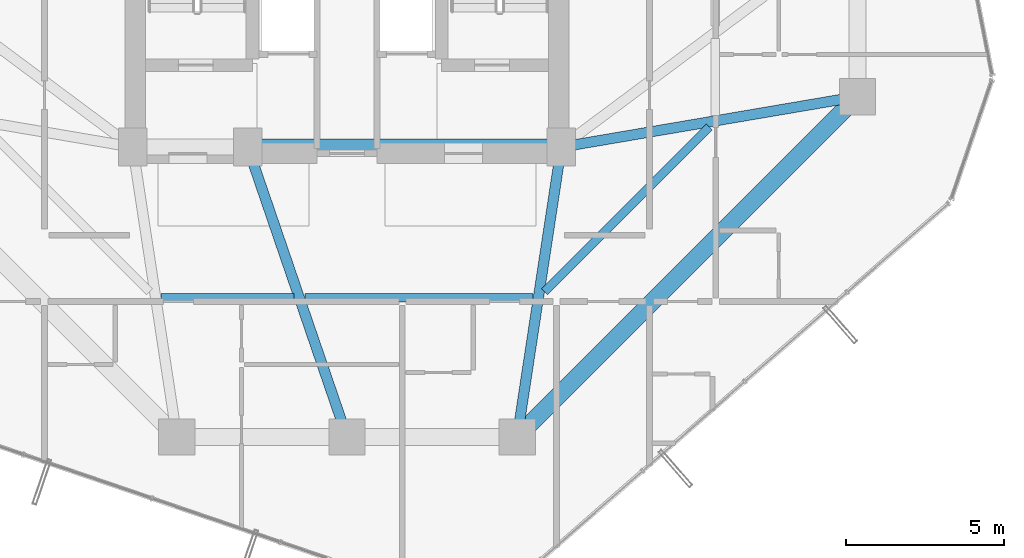
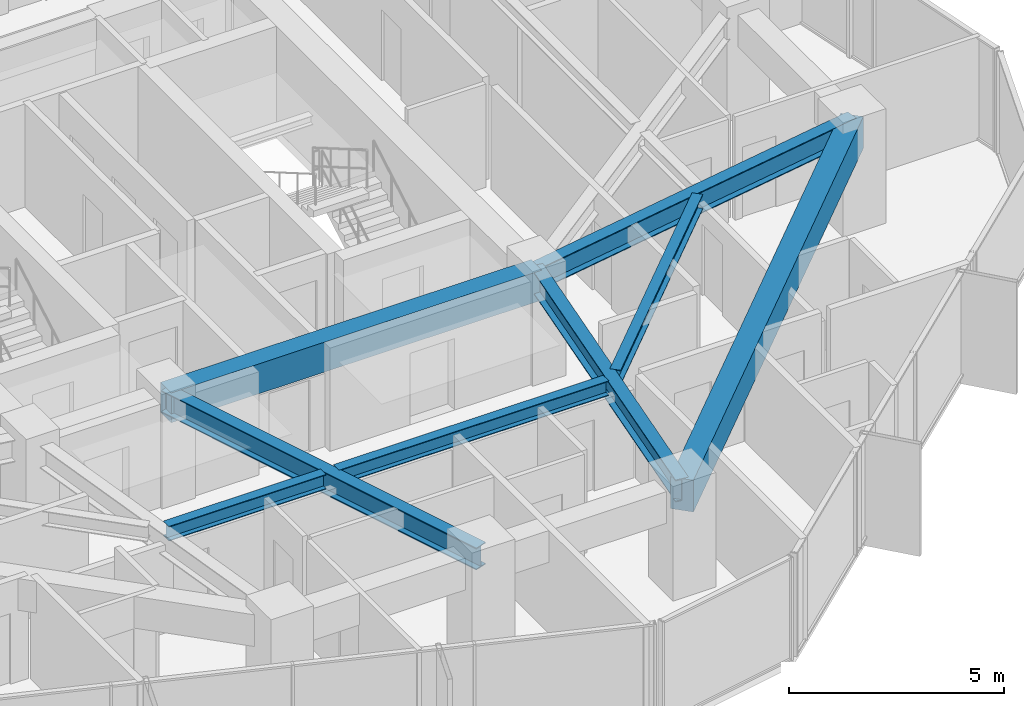
# One storey, part 8 of 36: 8 beams.
"""IFC4 building model written with IfcOpenShell, lengths in metres."""

from ifc_helpers import new_model, si_unit, direction, frame, origin, origin_2d, place, context, subcontext, project, spatial, rectangle, i_section, extrude, material, material_profile, profile_set, type_object, element, save


model = new_model("IFC4")

# Units and contexts
model_context = context("Model", 3, precision=1e-05, world=origin(), true_north=direction((0.0, 1.0)))
body_context = subcontext(model_context, "Body", "Model", "MODEL_VIEW")
ifc_project = project(units=[si_unit("LENGTHUNIT", "METRE"), si_unit("AREAUNIT", "SQUARE_METRE"), si_unit("VOLUMEUNIT", "CUBIC_METRE"), si_unit("PLANEANGLEUNIT", "RADIAN"), si_unit("MASSUNIT", "GRAM", prefix="KILO")], contexts=[model_context])

# Site, building, storey
site_placement = place(None, origin())
site = spatial("IfcSite", under=ifc_project, at=site_placement, CompositionType="ELEMENT")
building_placement = place(site_placement, origin())
building = spatial("IfcBuilding", under=site, at=building_placement, Name="Veraguas Prism Commons", CompositionType="ELEMENT")
storey_placement = place(building_placement, frame((0.0, 0.0, 166.300048828125)))
storey = spatial("IfcBuildingStorey", under=building, at=storey_placement, Name="L47", CompositionType="ELEMENT", Elevation=166.300048828125)

# Beams
ifc_material_1 = material(Name="Concrete C50/60", Category="concrete")
ifc_material_profile_1 = material_profile(ifc_material_1, rectangle(XDim=0.5, YDim=0.85009765625, at=origin_2d()), Name="RC500X850")
ifc_profile_set_1 = profile_set([ifc_material_profile_1], Name="Concrete C50/60")
beam_type_1 = type_object("IfcBeamType", Name="Core Coupling Beam RC 500x850", PredefinedType="BEAM", material=ifc_profile_set_1)
beam_1_placement = place(storey_placement, frame((20.85009765625, 17.0, 2.5048828125), z_axis=(1.0, 0.0, 0.0), x_axis=(0.0, 1.0, 0.0)))
element("IfcBeam", 1, at=beam_1_placement, inside=storey, type_object=beam_type_1, Name="Core Coupling Beam L47-CRS2", PredefinedType="BEAM", context=body_context, shape_type="SweptSolid", body=[
    extrude(rectangle(XDim=0.5, YDim=0.85009765625, at=origin_2d()), origin(), (0.0, 0.0, 1.0), 9.949951171875),
])
ifc_material_2 = material(Name="Steel ASTM A992 Grade 50", Category="steel")
ifc_material_profile_2 = material_profile(ifc_material_2, i_section(OverallWidth=0.260986328125, OverallDepth=0.419921875, WebThickness=0.01171875, FlangeThickness=0.019287109375, at=origin_2d()), Name="W410X114")
ifc_profile_set_2 = profile_set([ifc_material_profile_2], Name="Steel ASTM A992 Grade 50")
beam_type_2 = type_object("IfcBeamType", Name="Lower Floor Joist W410x114", PredefinedType="JOIST", material=ifc_profile_set_2)
beam_2_placement = place(storey_placement, frame((18.091796875, 12.216064453125, 2.719970703125), z_axis=(1.0, 0.0, 0.0), x_axis=(0.0, 1.0, 0.0)))
element("IfcBeam", 2, at=beam_2_placement, inside=storey, type_object=beam_type_2, Name="Composite Floor Joist L47-JS10", PredefinedType="JOIST", context=body_context, shape_type="SweptSolid", body=[
    extrude(i_section(OverallWidth=0.260986328125, OverallDepth=0.419921875, WebThickness=0.01171875, FlangeThickness=0.019287109375, at=origin_2d()), origin(), (0.0, 0.0, 1.0), 4.22509765625),
])
beam_3_placement = place(storey_placement, frame((22.6591796875, 12.216064453125, 2.719970703125), z_axis=(1.0, 0.0, 0.0), x_axis=(0.0, 1.0, 0.0)))
element("IfcBeam", 3, at=beam_3_placement, inside=storey, type_object=beam_type_2, Name="Composite Floor Joist L47-JS11", PredefinedType="JOIST", context=body_context, shape_type="SweptSolid", body=[
    extrude(i_section(OverallWidth=0.260986328125, OverallDepth=0.419921875, WebThickness=0.01171875, FlangeThickness=0.019287109375, at=origin_2d()), origin(), (0.0, 0.0, 1.0), 7.2490234375),
])
beam_4_placement = place(storey_placement, frame((30.265380859375, 12.4091796875, 2.719970703125), z_axis=(0.707090260193, 0.707123301794, 0.0), x_axis=(-0.707123301794, 0.707090260193, 0.0)))
element("IfcBeam", 4, at=beam_4_placement, inside=storey, type_object=beam_type_2, Name="Composite Floor Joist L47-JS12", PredefinedType="JOIST", context=body_context, shape_type="SweptSolid", body=[
    extrude(i_section(OverallWidth=0.260986328125, OverallDepth=0.419921875, WebThickness=0.01171875, FlangeThickness=0.019287109375, at=origin_2d()), origin(), (0.0, 0.0, 1.0), 7.388916015625),
])
ifc_material_profile_3 = material_profile(ifc_material_1, rectangle(XDim=0.550048828125, YDim=0.89990234375, at=origin_2d()), Name="RC550X900")
ifc_profile_set_3 = profile_set([ifc_material_profile_3], Name="Concrete C50/60")
beam_type_3 = type_object("IfcBeamType", Name="Perimeter Spandrel Lower RC 550x900", PredefinedType="SPANDREL", material=ifc_profile_set_3)
beam_5_placement = place(storey_placement, frame((29.39990234375, 7.800048828125, 2.47998046875), z_axis=(0.707106781187, 0.707106781187, 0.0), x_axis=(-0.707106781187, 0.707106781187, 0.0)))
element("IfcBeam", 5, at=beam_5_placement, inside=storey, type_object=beam_type_3, Name="Perimeter Spandrel Beam L47-SP12", PredefinedType="SPANDREL", context=body_context, shape_type="SweptSolid", body=[
    extrude(rectangle(XDim=0.550048828125, YDim=0.89990234375, at=origin_2d()), origin(), (0.0, 0.0, 1.0), 15.273681640625),
])
ifc_material_profile_4 = material_profile(ifc_material_2, i_section(OverallWidth=0.327880859375, OverallDepth=0.6220703125, WebThickness=0.015380859375, FlangeThickness=0.0244140625, at=origin_2d()), Name="W610X195")
ifc_profile_set_4 = profile_set([ifc_material_profile_4], Name="Steel ASTM A992 Grade 50")
beam_type_4 = type_object("IfcBeamType", Name="Zone 2 Radial Girder W610x195", PredefinedType="BEAM", material=ifc_profile_set_4)
beam_6_placement = place(storey_placement, frame((40.199951171875, 18.60009765625, 2.618896484375), z_axis=(-0.985819187151, -0.1678109956, 0.0), x_axis=(0.1678109956, -0.985819187151, 0.0)))
element("IfcBeam", 6, at=beam_6_placement, inside=storey, type_object=beam_type_4, Name="Radial Floor Girder L47-RD01", PredefinedType="BEAM", context=body_context, shape_type="SweptSolid", body=[
    extrude(i_section(OverallWidth=0.327880859375, OverallDepth=0.6220703125, WebThickness=0.015380859375, FlangeThickness=0.0244140625, at=origin_2d()), origin(), (0.0, 0.0, 1.0), 9.53515625),
])
beam_7_placement = place(storey_placement, frame((24.0, 7.800048828125, 2.618896484375), z_axis=(-0.323922482989, 0.946083624747, 0.0), x_axis=(-0.946083624747, -0.323922482989, 0.0)))
element("IfcBeam", 7, at=beam_7_placement, inside=storey, type_object=beam_type_4, Name="Radial Floor Girder L47-RD11", PredefinedType="BEAM", context=body_context, shape_type="SweptSolid", body=[
    extrude(i_section(OverallWidth=0.327880859375, OverallDepth=0.6220703125, WebThickness=0.015380859375, FlangeThickness=0.0244140625, at=origin_2d()), origin(), (0.0, 0.0, 1.0), 9.724365234375),
])
beam_8_placement = place(storey_placement, frame((29.39990234375, 7.800048828125, 2.618896484375), z_axis=(0.150458162136, 0.98861637729, 0.0), x_axis=(-0.98861637729, 0.150458162136, 0.0)))
element("IfcBeam", 8, at=beam_8_placement, inside=storey, type_object=beam_type_4, Name="Radial Floor Girder L47-RD12", PredefinedType="BEAM", context=body_context, shape_type="SweptSolid", body=[
    extrude(i_section(OverallWidth=0.327880859375, OverallDepth=0.6220703125, WebThickness=0.015380859375, FlangeThickness=0.0244140625, at=origin_2d()), origin(), (0.0, 0.0, 1.0), 9.305908203125),
])

save(model, "model.ifc")
